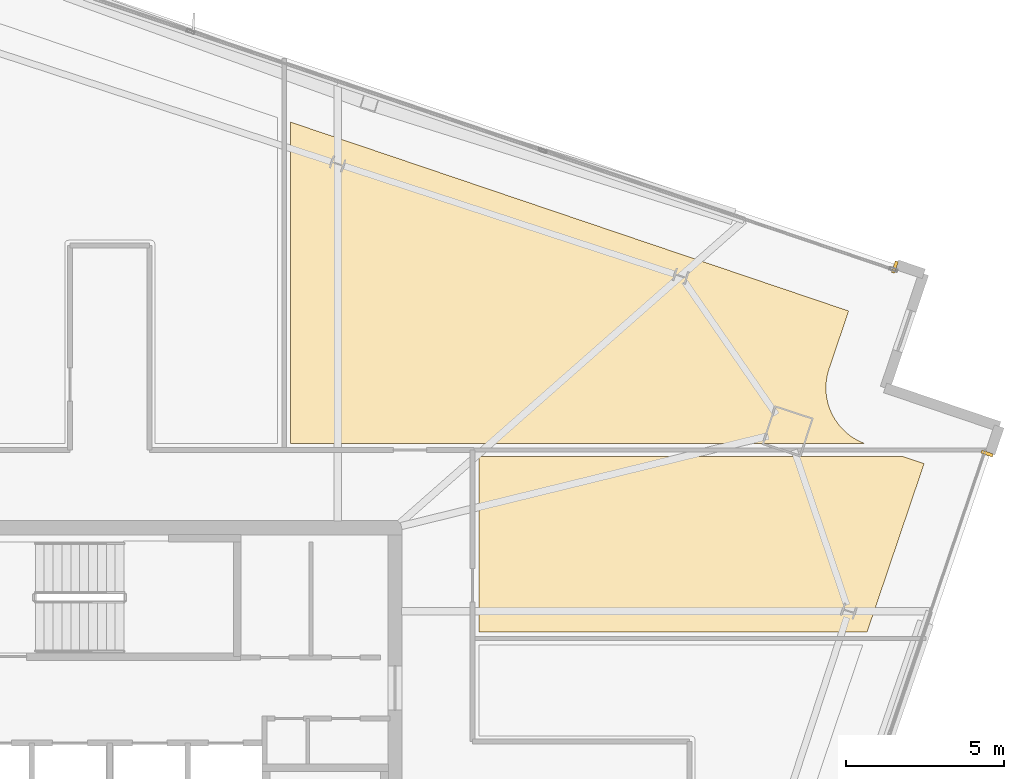
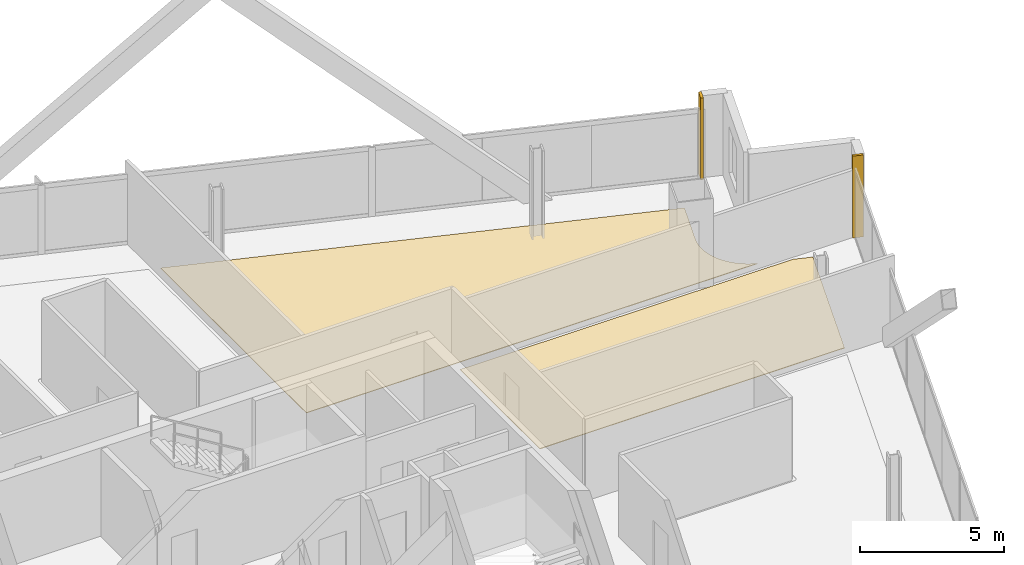
# One storey, part 29 of 29: 4 coverings.
"""IFC4 building model written with IfcOpenShell, lengths in metres."""

from ifc_helpers import new_model, si_unit, direction, frame, origin, origin_2d, place, context, subcontext, project, spatial, polyline, rectangle, outline, extrude, source, transform, mapped, material, layer, layer_set, type_object, element, save


model = new_model("IFC4")

# Units and contexts
model_context = context("Model", 3, precision=1e-05, world=origin(), true_north=direction((0.0, 1.0)))
body_context = subcontext(model_context, "Body", "Model", "MODEL_VIEW")
ifc_project = project(units=[si_unit("LENGTHUNIT", "METRE"), si_unit("AREAUNIT", "SQUARE_METRE"), si_unit("VOLUMEUNIT", "CUBIC_METRE"), si_unit("PLANEANGLEUNIT", "RADIAN"), si_unit("MASSUNIT", "GRAM", prefix="KILO")], contexts=[model_context])

# Site, building, storey
site_placement = place(None, origin())
site = spatial("IfcSite", under=ifc_project, at=site_placement, CompositionType="ELEMENT")
building_placement = place(site_placement, origin())
building = spatial("IfcBuilding", under=site, at=building_placement, Name="Haldenkirk Collegiate Tower", CompositionType="ELEMENT")
storey_placement = place(building_placement, frame((0.0, 0.0, 267.449951171875)))
storey = spatial("IfcBuildingStorey", under=building, at=storey_placement, Name="L67", CompositionType="ELEMENT", Elevation=267.449951171875)

# Coverings
ifc_material_1 = material(Name="Polished collegiate terrazzo", Category="concrete")
ifc_layer_1 = layer(ifc_material_1, 0.02490234375)
ifc_layer_set_1 = layer_set([ifc_layer_1], Name="Polished collegiate terrazzo")
covering_type_1 = type_object("IfcCoveringType", Name="COV-FLOOR-TERRAZZO", PredefinedType="FLOORING", material=ifc_layer_set_1)
covering_1_placement = place(storey_placement, origin())
element("IfcCovering", 1, at=covering_1_placement, inside=storey, type_object=covering_type_1, Name="L67 academic room finish 06", PredefinedType="FLOORING", context=body_context, shape_type="SweptSolid", body=[
    extrude(outline(polyline([(59.318115234375, 40.837158203125), (58.69921875, 39.00927734375), (58.697509765625, 39.00341796875), (58.650390625, 38.83837890625), (58.647705078125, 38.826904296875), (58.6171875, 38.657958984375), (58.61572265625, 38.646240234375), (58.601806640625, 38.47509765625), (58.601318359375, 38.46337890625), (58.604248046875, 38.29150390625), (58.60498046875, 38.27978515625), (58.625, 38.109130859375), (58.626708984375, 38.09765625), (58.6630859375, 37.9296875), (58.666259765625, 37.91845703125), (58.718994140625, 37.7548828125), (58.72314453125, 37.743896484375), (58.79150390625, 37.58642578125), (58.796875, 37.57568359375), (58.88037109375, 37.42578125), (58.88671875, 37.415771484375), (58.984619140625, 37.274658203125), (58.99169921875, 37.265380859375), (59.102783203125, 37.134521484375), (59.11083984375, 37.1259765625), (59.234375, 37.006591796875), (59.243408203125, 36.998779296875), (59.3779296875, 36.89208984375), (59.387451171875, 36.88525390625), (59.531982421875, 36.79248046875), (59.5419921875, 36.78662109375), (59.69482421875, 36.708251953125), (59.70556640625, 36.703369140625), (59.8408203125, 36.64990234375), (41.699951171875, 36.64990234375), (41.699951171875, 46.800537109375), (59.318115234375, 40.837158203125)])), origin(), (0.0, 0.0, 1.0), 0.025146484375),
])
covering_2_placement = place(storey_placement, origin())
element("IfcCovering", 2, at=covering_2_placement, inside=storey, type_object=covering_type_1, Name="L67 academic room finish 12", PredefinedType="FLOORING", context=body_context, shape_type="SweptSolid", body=[
    extrude(outline(polyline([(59.8984375, 30.699951171875), (47.64990234375, 30.699951171875), (47.64990234375, 36.25), (61.01806640625, 36.25), (61.69921875, 36.01953125), (59.8984375, 30.699951171875)])), origin(), (0.0, 0.0, 1.0), 0.025146484375),
])
ifc_material_2 = material(Name="Anodised architectural bronze aluminium", Category="aluminium")
ifc_layer_2 = layer(ifc_material_2, 0.06005859375)
ifc_layer_set_2 = layer_set([ifc_layer_2], Name="Anodised architectural bronze aluminium")
covering_type_2 = type_object("IfcCoveringType", Name="COV-CLAD-BRONZE-60", PredefinedType="CLADDING", material=ifc_layer_set_2)
shared_shape = source(origin(), body_context, "Body", "SweptSolid", [
    extrude(rectangle(XDim=0.10009765625, YDim=0.3798828125, at=origin_2d()), origin(), (0.0, 0.0, 1.0), 3.47998046875),
])
for number, where, z_axis, x_axis, name in (
    (3, (63.686279296875, 36.339111328125, 0.0), (0.0, 0.0, 1.0), (-0.320612990586, -0.947210277746, 0.0), "L67 recessed curtain-wall bronze jamb closure SJL"),
    (4, (60.779052734375, 42.221923828125, 0.0), (0.0, 0.0, 1.0), (0.947210277746, -0.320612990586, 0.0), "L67 recessed curtain-wall bronze jamb closure EJR"),
):
    element("IfcCovering", number, at=place(storey_placement, frame(where, z_axis=z_axis, x_axis=x_axis)), inside=storey, type_object=covering_type_2, Name=name, PredefinedType="CLADDING", context=body_context, shape_type="MappedRepresentation", body=[
        mapped(shared_shape, transform((0.0, 0.0, 0.0), x_axis=(1.0, 0.0, 0.0), y_axis=(0.0, 1.0, 0.0), z_axis=(0.0, 0.0, 1.0), scale=1.0)),
    ])

save(model, "model.ifc")
